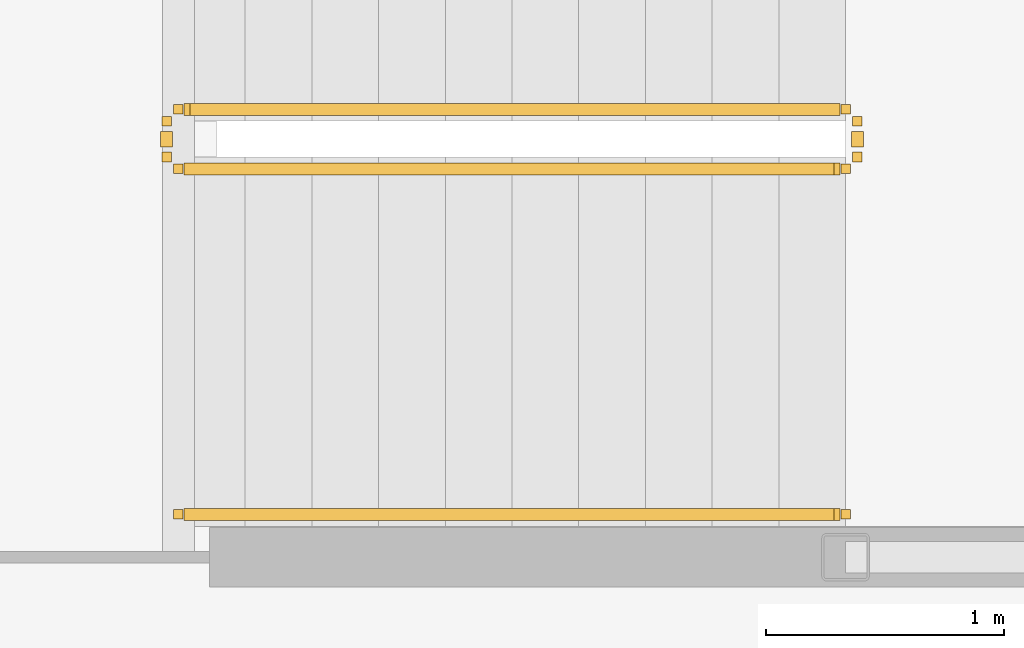
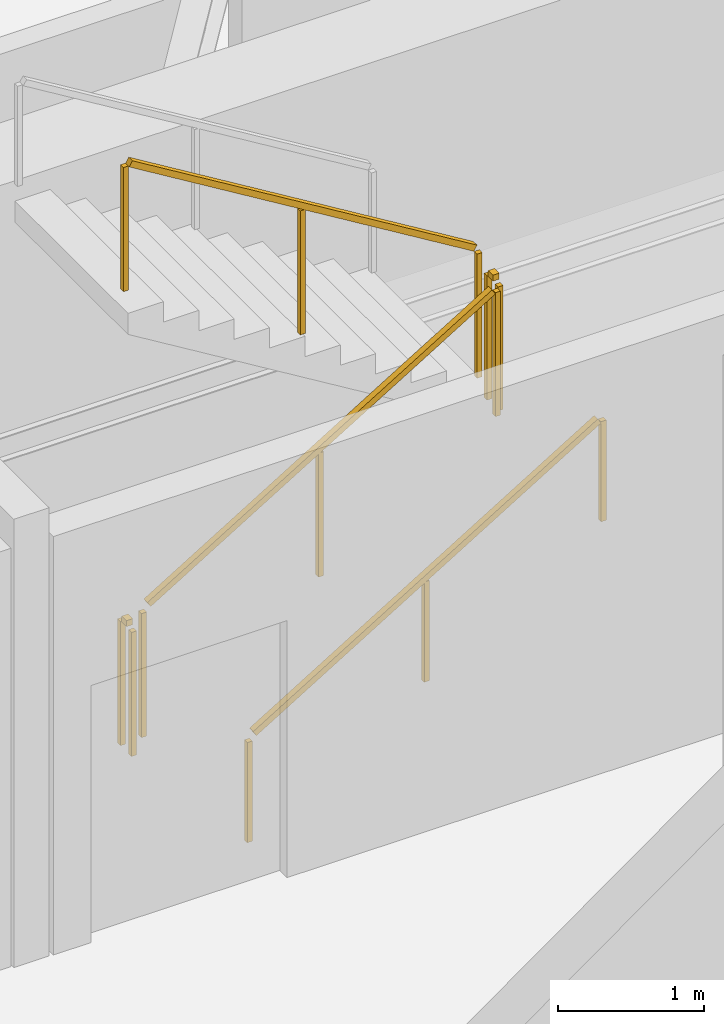
# One storey, part 20 of 21: 5 railings.
"""IFC4 building model written with IfcOpenShell, lengths in metres."""

from ifc_helpers import new_model, si_unit, direction, frame, origin, origin_2d, place, context, subcontext, project, spatial, rectangle, extrude, material, type_object, element, save


model = new_model("IFC4")

# Units and contexts
model_context = context("Model", 3, precision=1e-05, world=origin(), true_north=direction((0.0, 1.0)))
body_context = subcontext(model_context, "Body", "Model", "MODEL_VIEW")
ifc_project = project(units=[si_unit("LENGTHUNIT", "METRE"), si_unit("AREAUNIT", "SQUARE_METRE"), si_unit("VOLUMEUNIT", "CUBIC_METRE"), si_unit("PLANEANGLEUNIT", "RADIAN"), si_unit("MASSUNIT", "GRAM", prefix="KILO")], contexts=[model_context])

# Site, building, storey
site_placement = place(None, origin())
site = spatial("IfcSite", under=ifc_project, at=site_placement, CompositionType="ELEMENT")
building_placement = place(site_placement, origin())
building = spatial("IfcBuilding", under=site, at=building_placement, Name="Kazma Halo Residences", CompositionType="ELEMENT")
storey_placement = place(building_placement, frame((0.0, 0.0, 187.800048828125)))
storey = spatial("IfcBuildingStorey", under=building, at=storey_placement, Name="L47", CompositionType="ELEMENT", Elevation=187.800048828125)

# Railings
ifc_material_1 = material(Name="Painted Steel S355", Category="steel")
railing_type_1 = type_object("IfcRailingType", Name="RLG-STAIR-GRD-1100", PredefinedType="GUARDRAIL", material=ifc_material_1)
railing_1_placement = place(storey_placement, frame((53.199951171875, 48.25, 0.17041015625)))
element("IfcRailing", 1, at=railing_1_placement, inside=storey, type_object=railing_type_1, Name="L47 ST-02 stair guard 1", PredefinedType="GUARDRAIL", context=body_context, shape_type="SweptSolid", body=[
    extrude(rectangle(XDim=0.050048828125, YDim=0.050048828125, at=origin_2d()), frame((0.036376953125, 0.0, 1.09716796875), z_axis=(0.854169791009, 0.0, 0.51999420009), x_axis=(0.0, 1.0, 0.0)), (0.0, 0.0, 1.0), 3.193115234375),
    extrude(rectangle(XDim=0.0400390625, YDim=0.0400390625, at=origin_2d()), origin(), (0.0, 0.0, 1.0), 1.0380859375),
    extrude(rectangle(XDim=0.0400390625, YDim=0.0400390625, at=origin_2d()), frame((1.39990234375, 0.0, 0.852294921875)), (0.0, 0.0, 1.0), 1.0380859375),
    extrude(rectangle(XDim=0.0400390625, YDim=0.0400390625, at=origin_2d()), frame((2.800048828125, 0.0, 1.70458984375)), (0.0, 0.0, 1.0), 1.0380859375),
])
railing_2_placement = place(storey_placement, frame((56.050048828125, 48.300048828125, 1.875)))
element("IfcRailing", 2, at=railing_2_placement, inside=storey, type_object=railing_type_1, Name="L47 ST-02 stair guard 2", PredefinedType="GUARDRAIL", context=body_context, shape_type="SweptSolid", body=[
    extrude(rectangle(XDim=0.050048828125, YDim=0.050048828125, at=origin_2d()), frame((0.0, 0.04248046875, 1.0751953125), z_axis=(0.0, 1.0, 0.0), x_axis=(-1.0, 0.0, 0.0)), (0.0, 0.0, 1.0), 0.06494140625),
    extrude(rectangle(XDim=0.0400390625, YDim=0.0400390625, at=origin_2d()), origin(), (0.0, 0.0, 1.0), 1.0380859375),
    extrude(rectangle(XDim=0.0400390625, YDim=0.0400390625, at=origin_2d()), frame((0.0, 0.14990234375, 0.0)), (0.0, 0.0, 1.0), 1.0380859375),
])
railing_3_placement = place(storey_placement, frame((56.0, 48.5, 2.04541015625)))
element("IfcRailing", 3, at=railing_3_placement, inside=storey, type_object=railing_type_1, Name="L47 ST-02 stair guard 3", PredefinedType="GUARDRAIL", context=body_context, shape_type="SweptSolid", body=[
    extrude(rectangle(XDim=0.050048828125, YDim=0.050048828125, at=origin_2d()), frame((-0.036376953125, 0.0, 1.09716796875), z_axis=(-0.854169791009, 0.0, 0.51999420009), x_axis=(0.0, -1.0, 0.0)), (0.0, 0.0, 1.0), 3.193115234375),
    extrude(rectangle(XDim=0.0400390625, YDim=0.0400390625, at=origin_2d()), origin(), (0.0, 0.0, 1.0), 1.0380859375),
    extrude(rectangle(XDim=0.0400390625, YDim=0.0400390625, at=origin_2d()), frame((-1.39990234375, 0.0, 0.852294921875)), (0.0, 0.0, 1.0), 1.0380859375),
    extrude(rectangle(XDim=0.0400390625, YDim=0.0400390625, at=origin_2d()), frame((-2.800048828125, 0.0, 1.70458984375)), (0.0, 0.0, 1.0), 1.0380859375),
])
railing_4_placement = place(storey_placement, frame((53.14990234375, 48.300048828125, 0.0)))
element("IfcRailing", 4, at=railing_4_placement, inside=storey, type_object=railing_type_1, Name="L47 ST-02 stair guard 4", PredefinedType="GUARDRAIL", context=body_context, shape_type="SweptSolid", body=[
    extrude(rectangle(XDim=0.050048828125, YDim=0.050048828125, at=origin_2d()), frame((0.0, 0.04248046875, 1.0751953125), z_axis=(0.0, 1.0, 0.0), x_axis=(-1.0, 0.0, 0.0)), (0.0, 0.0, 1.0), 0.06494140625),
    extrude(rectangle(XDim=0.0400390625, YDim=0.0400390625, at=origin_2d()), origin(), (0.0, 0.0, 1.0), 1.0380859375),
    extrude(rectangle(XDim=0.0400390625, YDim=0.0400390625, at=origin_2d()), frame((0.0, 0.14990234375, 0.0)), (0.0, 0.0, 1.0), 1.0380859375),
])
ifc_material_2 = material(Name="Brushed Stainless Steel", Category="steel")
railing_type_2 = type_object("IfcRailingType", Name="RLG-STAIR-HND-900", PredefinedType="HANDRAIL", material=ifc_material_2)
railing_5_placement = place(storey_placement, frame((53.199951171875, 46.800048828125, 0.17041015625)))
element("IfcRailing", 5, at=railing_5_placement, inside=storey, type_object=railing_type_2, Name="L47 ST-02 stair handrail 1", PredefinedType="HANDRAIL", context=body_context, shape_type="SweptSolid", body=[
    extrude(rectangle(XDim=0.050048828125, YDim=0.050048828125, at=origin_2d()), frame((0.036376953125, 0.0, 0.89697265625), z_axis=(0.854169791009, 0.0, 0.51999420009), x_axis=(0.0, 1.0, 0.0)), (0.0, 0.0, 1.0), 3.193115234375),
    extrude(rectangle(XDim=0.0400390625, YDim=0.0400390625, at=origin_2d()), origin(), (0.0, 0.0, 1.0), 0.837890625),
    extrude(rectangle(XDim=0.0400390625, YDim=0.0400390625, at=origin_2d()), frame((1.39990234375, 0.0, 0.852294921875)), (0.0, 0.0, 1.0), 0.837890625),
    extrude(rectangle(XDim=0.0400390625, YDim=0.0400390625, at=origin_2d()), frame((2.800048828125, 0.0, 1.70458984375)), (0.0, 0.0, 1.0), 0.837890625),
])

save(model, "model.ifc")
